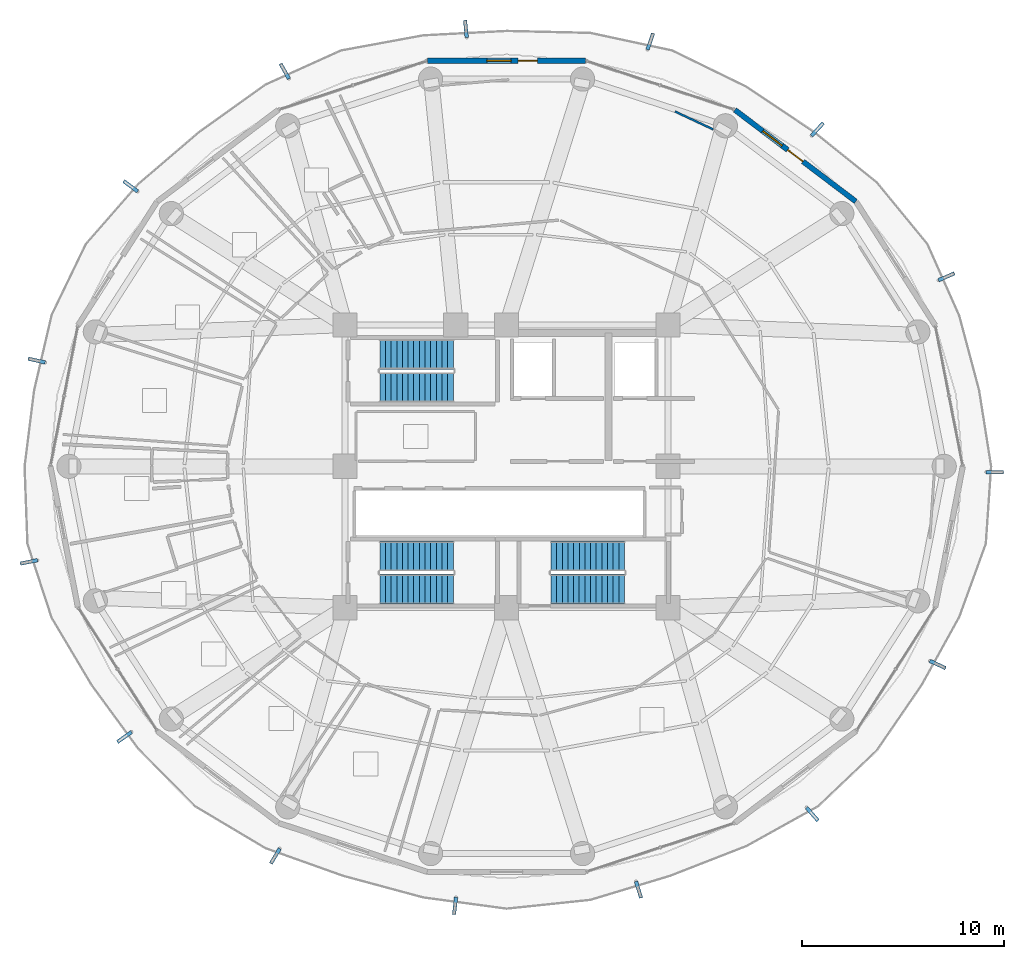
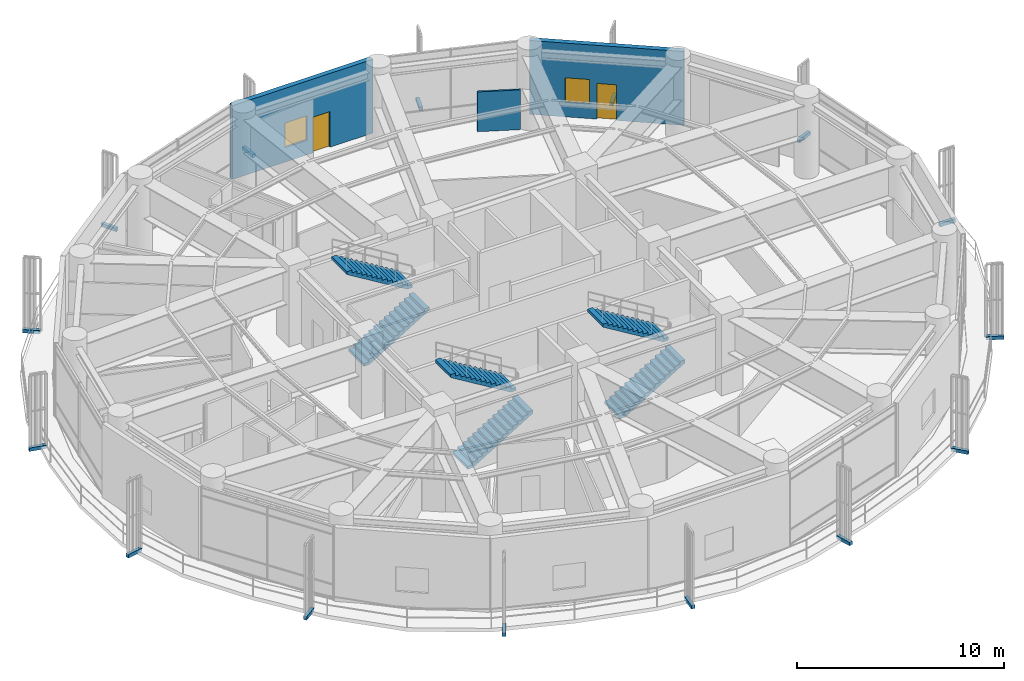
# One storey, part 24 of 28: 15 discrete accessories, 6 stair flights, 3 walls, 2 doors, 2 windows, 4 openings, 3 elements without a shape of their own.
"""IFC4 building model written with IfcOpenShell, lengths in metres."""

from ifc_helpers import new_model, si_unit, direction, frame, frame_2d, origin, origin_2d, place, context, subcontext, project, spatial, polyline, rectangle, outline, extrude, source, transform, mapped, material, layer, layer_set, type_object, element, fill, aggregate, save


model = new_model("IFC4")

# Units and contexts
model_context = context("Model", 3, precision=1e-05, world=origin(), true_north=direction((0.0, 1.0)))
body_context = subcontext(model_context, "Body", "Model", "MODEL_VIEW")
ifc_project = project(units=[si_unit("LENGTHUNIT", "METRE"), si_unit("AREAUNIT", "SQUARE_METRE"), si_unit("VOLUMEUNIT", "CUBIC_METRE"), si_unit("PLANEANGLEUNIT", "RADIAN"), si_unit("MASSUNIT", "GRAM", prefix="KILO")], contexts=[model_context])

# Site, building, storey
site_placement = place(None, origin())
site = spatial("IfcSite", under=ifc_project, at=site_placement, CompositionType="ELEMENT")
building_placement = place(site_placement, origin())
building = spatial("IfcBuilding", under=site, at=building_placement, Name="Kelanora Arch Commons", CompositionType="ELEMENT")
storey_placement = place(building_placement, frame((0.0, 0.0, 184.35009765625)))
storey = spatial("IfcBuildingStorey", under=building, at=storey_placement, Name="L47", CompositionType="ELEMENT", Elevation=184.35009765625)

# Wall, openings, door, window
ifc_material_1 = material(Name="Precast concrete C40/50 with terracotta rainscreen", Category="masonry")
ifc_layer_1 = layer(ifc_material_1, 0.260009765625)
ifc_layer_set_1 = layer_set([ifc_layer_1], Name="Precast concrete C40/50 with terracotta rainscreen")
wall_type_1 = type_object("IfcWallType", Name="W-EXT-TC", PredefinedType="SOLIDWALL", material=ifc_layer_set_1)
wall_1_placement = place(storey_placement, frame((91.300537109375, 71.1220703125, 0.0), z_axis=(0.0, 0.0, 1.0), x_axis=(-0.797163719609, 0.603763202042, 0.0)))
wall_1 = element("IfcWall", 1, at=wall_1_placement, inside=storey, type_object=wall_type_1, Name="Terracotta Exterior Wall L47-B02", PredefinedType="SOLIDWALL", context=body_context, shape_type="SweptSolid", body=[
    extrude(rectangle(XDim=7.51220703125, YDim=0.260009765625, at=frame_2d((3.756103515625, 0.0))), origin(), (0.0, 0.0, 1.0), 4.344970703125),
])
opening_1_placement = place(wall_1_placement, frame((3.281005859375, 0.0, 0.0)))
opening_1 = element("IfcOpeningElement", 2, at=opening_1_placement, cuts=wall_1, Name="Opening DB-01", PredefinedType="OPENING", context=body_context, shape_type="SweptSolid", body=[
    extrude(rectangle(XDim=0.949951171875, YDim=2.10009765625, at=frame_2d((0.47509765625, 1.050048828125))), frame((0.0, 0.14013671875, 0.0), z_axis=(0.0, -1.0, 0.0), x_axis=(1.0, 0.0, 0.0)), (0.0, 0.0, 1.0), 0.280029296875),
])
opening_2_placement = place(wall_1_placement, frame((4.5810546875, 0.0, 0.85009765625)))
opening_2 = element("IfcOpeningElement", 3, at=opening_2_placement, cuts=wall_1, Name="Opening WN-02", PredefinedType="OPENING", context=body_context, shape_type="SweptSolid", body=[
    extrude(rectangle(XDim=1.199951171875, YDim=1.449951171875, at=frame_2d((0.60009765625, 0.72509765625))), frame((0.0, 0.14013671875, 0.0), z_axis=(0.0, -1.0, 0.0), x_axis=(1.0, 0.0, 0.0)), (0.0, 0.0, 1.0), 0.280029296875),
])
ifc_material_2 = material(Name="Terracotta-aluminium thermally broken glazed balcony door", Category="masonry")
door_type = type_object("IfcDoorType", Name="D-BAL-10", OperationType="NOTDEFINED", PredefinedType="DOOR", material=ifc_material_2)
door_1_placement = place(opening_1_placement, frame((0.949951171875, 0.0, 0.0), z_axis=(0.0, 0.0, 1.0), x_axis=(-1.0, 0.0, 0.0)))
door_1 = element("IfcDoor", 4, at=door_1_placement, inside=storey, type_object=door_type, Name="Wave Balcony Door L47-B02", OperationType="SINGLE_SWING_RIGHT", OverallHeight=2.10009765625, OverallWidth=0.949951171875, PredefinedType="DOOR", context=body_context, shape_type="SweptSolid", body=[
    extrude(rectangle(XDim=0.949951171875, YDim=2.10009765625, at=frame_2d((0.47509765625, 1.050048828125))), frame((0.0, 0.02490234375, 0.0), z_axis=(0.0, -1.0, 0.0), x_axis=(1.0, 0.0, 0.0)), (0.0, 0.0, 1.0), 0.050048828125),
])
fill(opening_1, door_1)
ifc_material_3 = material(Name="Terracotta-anodised aluminium frame with operable awning sash", Category="masonry")
window_type = type_object("IfcWindowType", Name="WIN-CL-12", PartitioningType="SINGLE_PANEL", PredefinedType="WINDOW", material=ifc_material_3)
window_1_placement = place(opening_2_placement, origin())
window_1 = element("IfcWindow", 5, at=window_1_placement, inside=storey, type_object=window_type, Name="Co-Living Operable Window L47-B02", OverallHeight=1.449951171875, OverallWidth=1.199951171875, PartitioningType="SINGLE_PANEL", PredefinedType="WINDOW", context=body_context, shape_type="SweptSolid", body=[
    extrude(rectangle(XDim=1.199951171875, YDim=1.449951171875, at=frame_2d((0.60009765625, 0.72509765625))), frame((0.0, 0.030029296875, 0.0), z_axis=(0.0, -1.0, 0.0), x_axis=(1.0, 0.0, 0.0)), (0.0, 0.0, 1.0), 0.06005859375),
])
fill(opening_2, window_1)

wall_2_placement = place(storey_placement, frame((77.909423828125, 78.090087890625, 0.0), z_axis=(0.0, 0.0, 1.0), x_axis=(-1.0, 0.0, 0.0)))
wall_2 = element("IfcWall", 6, at=wall_2_placement, inside=storey, type_object=wall_type_1, Name="Terracotta Exterior Wall L47-B04", PredefinedType="SOLIDWALL", context=body_context, shape_type="SweptSolid", body=[
    extrude(rectangle(XDim=7.81884765625, YDim=0.260009765625, at=frame_2d((3.909423828125, 0.0))), origin(), (0.0, 0.0, 1.0), 4.344970703125),
])
opening_3_placement = place(wall_2_placement, frame((2.384033203125, 0.0, 0.0)))
opening_3 = element("IfcOpeningElement", 7, at=opening_3_placement, cuts=wall_2, Name="Opening DB-01", PredefinedType="OPENING", context=body_context, shape_type="SweptSolid", body=[
    extrude(rectangle(XDim=0.949951171875, YDim=2.10009765625, at=frame_2d((0.47509765625, 1.050048828125))), frame((0.0, 0.14013671875, 0.0), z_axis=(0.0, -1.0, 0.0), x_axis=(1.0, 0.0, 0.0)), (0.0, 0.0, 1.0), 0.280029296875),
])
opening_4_placement = place(wall_2_placement, frame((3.68408203125, 0.0, 0.85009765625)))
opening_4 = element("IfcOpeningElement", 8, at=opening_4_placement, cuts=wall_2, Name="Opening WN-02", PredefinedType="OPENING", context=body_context, shape_type="SweptSolid", body=[
    extrude(rectangle(XDim=1.199951171875, YDim=1.449951171875, at=frame_2d((0.60009765625, 0.72509765625))), frame((0.0, 0.14013671875, 0.0), z_axis=(0.0, -1.0, 0.0), x_axis=(1.0, 0.0, 0.0)), (0.0, 0.0, 1.0), 0.280029296875),
])
door_2_placement = place(opening_3_placement, frame((0.949951171875, 0.0, 0.0), z_axis=(0.0, 0.0, 1.0), x_axis=(-1.0, 0.0, 0.0)))
door_2 = element("IfcDoor", 9, at=door_2_placement, inside=storey, type_object=door_type, Name="Wave Balcony Door L47-B04", OperationType="SINGLE_SWING_RIGHT", OverallHeight=2.10009765625, OverallWidth=0.949951171875, PredefinedType="DOOR", context=body_context, shape_type="SweptSolid", body=[
    extrude(rectangle(XDim=0.949951171875, YDim=2.10009765625, at=frame_2d((0.47509765625, 1.050048828125))), frame((0.0, 0.02490234375, 0.0), z_axis=(0.0, -1.0, 0.0), x_axis=(1.0, 0.0, 0.0)), (0.0, 0.0, 1.0), 0.050048828125),
])
fill(opening_3, door_2)
window_2_placement = place(opening_4_placement, origin())
window_2 = element("IfcWindow", 10, at=window_2_placement, inside=storey, type_object=window_type, Name="Co-Living Operable Window L47-B04", OverallHeight=1.449951171875, OverallWidth=1.199951171875, PartitioningType="SINGLE_PANEL", PredefinedType="WINDOW", context=body_context, shape_type="SweptSolid", body=[
    extrude(rectangle(XDim=1.199951171875, YDim=1.449951171875, at=frame_2d((0.60009765625, 0.72509765625))), frame((0.0, 0.030029296875, 0.0), z_axis=(0.0, -1.0, 0.0), x_axis=(1.0, 0.0, 0.0)), (0.0, 0.0, 1.0), 0.06005859375),
])
fill(opening_4, window_2)

# Wall
ifc_material_4 = material(Name="Lightweight fire-rated acoustic stud partition")
ifc_layer_2 = layer(ifc_material_4, 0.10009765625)
ifc_layer_set_2 = layer_set([ifc_layer_2], Name="Lightweight fire-rated acoustic stud partition")
wall_type_2 = type_object("IfcWallType", Name="W-PART-100", PredefinedType="PARTITIONING", material=ifc_layer_set_2)
wall_3_placement = place(storey_placement, frame((82.34375, 75.57861328125, 0.0), z_axis=(0.0, 0.0, 1.0), x_axis=(0.905482711563, -0.424383151246, 0.0)))
element("IfcWall", 11, at=wall_3_placement, inside=storey, type_object=wall_type_2, Name="North-East Quiet Study Commons L47 Enclosure Partition 7", PredefinedType="PARTITIONING", context=body_context, shape_type="SweptSolid", body=[
    extrude(rectangle(XDim=2.096435546875, YDim=0.10009765625, at=frame_2d((1.04833984375, 0.0))), origin(), (0.0, 0.0, 1.0), 2.344970703125),
])

# Stair, stair flights
ifc_material_5 = material(Name="Concrete C40/50", Category="concrete")
stair_type = type_object("IfcStairType", Name="STR-DL-476", PredefinedType="HALF_TURN_STAIR", material=ifc_material_5)
stair_1_placement = place(storey_placement, origin())
stair_1 = element("IfcStair", 12, at=stair_1_placement, inside=storey, type_object=stair_type, Name="L47 ST-T1", PredefinedType="HALF_TURN_STAIR")
stair_flight_type = type_object("IfcStairFlightType", Name="FLT-DL-476", PredefinedType="STRAIGHT", material=ifc_material_5)
stair_flight_1_placement = place(storey_placement, frame((67.719970703125, 61.919921875, 0.0), z_axis=(0.0, 0.0, 1.0), x_axis=(1.0, 0.0, 0.0)))
stair_flight_1 = element("IfcStairFlight", 13, at=stair_flight_1_placement, type_object=stair_flight_type, Name="ST-T1 flight 1", NumberOfRisers=14, NumberOfTreads=13, PredefinedType="STRAIGHT", RiserHeight=0.17, TreadLength=0.28, context=body_context, shape_type="SweptSolid", body=[
    extrude(outline(polyline([(0.0, 0.0), (0.0, 0.169921875), (0.280029296875, 0.169921875), (0.280029296875, 0.340087890625), (0.56005859375, 0.340087890625), (0.56005859375, 0.510009765625), (0.840087890625, 0.510009765625), (0.840087890625, 0.679931640625), (1.1201171875, 0.679931640625), (1.1201171875, 0.85009765625), (1.39990234375, 0.85009765625), (1.39990234375, 1.02001953125), (1.679931640625, 1.02001953125), (1.679931640625, 1.18994140625), (1.9599609375, 1.18994140625), (1.9599609375, 1.360107421875), (2.239990234375, 1.360107421875), (2.239990234375, 1.530029296875), (2.52001953125, 1.530029296875), (2.52001953125, 1.699951171875), (2.800048828125, 1.699951171875), (2.800048828125, 1.8701171875), (3.080078125, 1.8701171875), (3.080078125, 2.0400390625), (3.360107421875, 2.0400390625), (3.360107421875, 2.2099609375), (3.639892578125, 2.2099609375), (3.639892578125, 2.3798828125), (3.639892578125, 2.03466796875), (0.288818359375, 0.0), (0.0, 0.0)])), frame((0.0, 0.739990234375, 0.0), z_axis=(0.0, -1.0, 0.0), x_axis=(1.0, 0.0, 0.0)), (0.0, 0.0, 1.0), 1.47998046875),
])
stair_flight_2_placement = place(storey_placement, frame((71.360107421875, 63.550048828125, 2.3798828125), z_axis=(0.0, 0.0, 1.0), x_axis=(-1.0, 0.0, 0.0)))
stair_flight_2 = element("IfcStairFlight", 14, at=stair_flight_2_placement, type_object=stair_flight_type, Name="ST-T1 flight 2", NumberOfRisers=14, NumberOfTreads=13, PredefinedType="STRAIGHT", RiserHeight=0.17, TreadLength=0.28, context=body_context, shape_type="SweptSolid", body=[
    extrude(outline(polyline([(0.0, 0.0), (0.0, 0.169921875), (0.280029296875, 0.169921875), (0.280029296875, 0.340087890625), (0.56005859375, 0.340087890625), (0.56005859375, 0.510009765625), (0.840087890625, 0.510009765625), (0.840087890625, 0.679931640625), (1.1201171875, 0.679931640625), (1.1201171875, 0.85009765625), (1.39990234375, 0.85009765625), (1.39990234375, 1.02001953125), (1.679931640625, 1.02001953125), (1.679931640625, 1.18994140625), (1.9599609375, 1.18994140625), (1.9599609375, 1.360107421875), (2.239990234375, 1.360107421875), (2.239990234375, 1.530029296875), (2.52001953125, 1.530029296875), (2.52001953125, 1.699951171875), (2.800048828125, 1.699951171875), (2.800048828125, 1.8701171875), (3.080078125, 1.8701171875), (3.080078125, 2.0400390625), (3.360107421875, 2.0400390625), (3.360107421875, 2.2099609375), (3.639892578125, 2.2099609375), (3.639892578125, 2.3798828125), (3.639892578125, 2.03466796875), (0.288818359375, 0.0), (0.0, 0.0)])), frame((0.0, 0.739990234375, 0.0), z_axis=(0.0, -1.0, 0.0), x_axis=(1.0, 0.0, 0.0)), (0.0, 0.0, 1.0), 1.47998046875),
])
aggregate(stair_1, [stair_flight_1, stair_flight_2])

stair_2_placement = place(storey_placement, origin())
stair_2 = element("IfcStair", 15, at=stair_2_placement, inside=storey, type_object=stair_type, Name="L47 ST-T2", PredefinedType="HALF_TURN_STAIR")
stair_flight_3_placement = place(storey_placement, frame((76.199951171875, 51.919921875, 0.0), z_axis=(0.0, 0.0, 1.0), x_axis=(1.0, 0.0, 0.0)))
stair_flight_3 = element("IfcStairFlight", 16, at=stair_flight_3_placement, type_object=stair_flight_type, Name="ST-T2 flight 1", NumberOfRisers=14, NumberOfTreads=13, PredefinedType="STRAIGHT", RiserHeight=0.17, TreadLength=0.28, context=body_context, shape_type="SweptSolid", body=[
    extrude(outline(polyline([(0.0, 0.0), (0.0, 0.169921875), (0.280029296875, 0.169921875), (0.280029296875, 0.340087890625), (0.56005859375, 0.340087890625), (0.56005859375, 0.510009765625), (0.840087890625, 0.510009765625), (0.840087890625, 0.679931640625), (1.1201171875, 0.679931640625), (1.1201171875, 0.85009765625), (1.39990234375, 0.85009765625), (1.39990234375, 1.02001953125), (1.679931640625, 1.02001953125), (1.679931640625, 1.18994140625), (1.9599609375, 1.18994140625), (1.9599609375, 1.360107421875), (2.239990234375, 1.360107421875), (2.239990234375, 1.530029296875), (2.52001953125, 1.530029296875), (2.52001953125, 1.699951171875), (2.800048828125, 1.699951171875), (2.800048828125, 1.8701171875), (3.080078125, 1.8701171875), (3.080078125, 2.0400390625), (3.360107421875, 2.0400390625), (3.360107421875, 2.2099609375), (3.639892578125, 2.2099609375), (3.639892578125, 2.3798828125), (3.639892578125, 2.03466796875), (0.288818359375, 0.0), (0.0, 0.0)])), frame((0.0, 0.739990234375, 0.0), z_axis=(0.0, -1.0, 0.0), x_axis=(1.0, 0.0, 0.0)), (0.0, 0.0, 1.0), 1.47998046875),
])
stair_flight_4_placement = place(storey_placement, frame((79.840087890625, 53.550048828125, 2.3798828125), z_axis=(0.0, 0.0, 1.0), x_axis=(-1.0, 0.0, 0.0)))
stair_flight_4 = element("IfcStairFlight", 17, at=stair_flight_4_placement, type_object=stair_flight_type, Name="ST-T2 flight 2", NumberOfRisers=14, NumberOfTreads=13, PredefinedType="STRAIGHT", RiserHeight=0.17, TreadLength=0.28, context=body_context, shape_type="SweptSolid", body=[
    extrude(outline(polyline([(0.0, 0.0), (0.0, 0.169921875), (0.280029296875, 0.169921875), (0.280029296875, 0.340087890625), (0.56005859375, 0.340087890625), (0.56005859375, 0.510009765625), (0.840087890625, 0.510009765625), (0.840087890625, 0.679931640625), (1.1201171875, 0.679931640625), (1.1201171875, 0.85009765625), (1.39990234375, 0.85009765625), (1.39990234375, 1.02001953125), (1.679931640625, 1.02001953125), (1.679931640625, 1.18994140625), (1.9599609375, 1.18994140625), (1.9599609375, 1.360107421875), (2.239990234375, 1.360107421875), (2.239990234375, 1.530029296875), (2.52001953125, 1.530029296875), (2.52001953125, 1.699951171875), (2.800048828125, 1.699951171875), (2.800048828125, 1.8701171875), (3.080078125, 1.8701171875), (3.080078125, 2.0400390625), (3.360107421875, 2.0400390625), (3.360107421875, 2.2099609375), (3.639892578125, 2.2099609375), (3.639892578125, 2.3798828125), (3.639892578125, 2.03466796875), (0.288818359375, 0.0), (0.0, 0.0)])), frame((0.0, 0.739990234375, 0.0), z_axis=(0.0, -1.0, 0.0), x_axis=(1.0, 0.0, 0.0)), (0.0, 0.0, 1.0), 1.47998046875),
])
aggregate(stair_2, [stair_flight_3, stair_flight_4])

stair_3_placement = place(storey_placement, origin())
stair_3 = element("IfcStair", 18, at=stair_3_placement, inside=storey, type_object=stair_type, Name="L47 ST-T3", PredefinedType="HALF_TURN_STAIR")
stair_flight_5_placement = place(storey_placement, frame((67.719970703125, 51.919921875, 0.0), z_axis=(0.0, 0.0, 1.0), x_axis=(1.0, 0.0, 0.0)))
stair_flight_5 = element("IfcStairFlight", 19, at=stair_flight_5_placement, type_object=stair_flight_type, Name="ST-T3 flight 1", NumberOfRisers=14, NumberOfTreads=13, PredefinedType="STRAIGHT", RiserHeight=0.17, TreadLength=0.28, context=body_context, shape_type="SweptSolid", body=[
    extrude(outline(polyline([(0.0, 0.0), (0.0, 0.169921875), (0.280029296875, 0.169921875), (0.280029296875, 0.340087890625), (0.56005859375, 0.340087890625), (0.56005859375, 0.510009765625), (0.840087890625, 0.510009765625), (0.840087890625, 0.679931640625), (1.1201171875, 0.679931640625), (1.1201171875, 0.85009765625), (1.39990234375, 0.85009765625), (1.39990234375, 1.02001953125), (1.679931640625, 1.02001953125), (1.679931640625, 1.18994140625), (1.9599609375, 1.18994140625), (1.9599609375, 1.360107421875), (2.239990234375, 1.360107421875), (2.239990234375, 1.530029296875), (2.52001953125, 1.530029296875), (2.52001953125, 1.699951171875), (2.800048828125, 1.699951171875), (2.800048828125, 1.8701171875), (3.080078125, 1.8701171875), (3.080078125, 2.0400390625), (3.360107421875, 2.0400390625), (3.360107421875, 2.2099609375), (3.639892578125, 2.2099609375), (3.639892578125, 2.3798828125), (3.639892578125, 2.03466796875), (0.288818359375, 0.0), (0.0, 0.0)])), frame((0.0, 0.739990234375, 0.0), z_axis=(0.0, -1.0, 0.0), x_axis=(1.0, 0.0, 0.0)), (0.0, 0.0, 1.0), 1.47998046875),
])
stair_flight_6_placement = place(storey_placement, frame((71.360107421875, 53.550048828125, 2.3798828125), z_axis=(0.0, 0.0, 1.0), x_axis=(-1.0, 0.0, 0.0)))
stair_flight_6 = element("IfcStairFlight", 20, at=stair_flight_6_placement, type_object=stair_flight_type, Name="ST-T3 flight 2", NumberOfRisers=14, NumberOfTreads=13, PredefinedType="STRAIGHT", RiserHeight=0.17, TreadLength=0.28, context=body_context, shape_type="SweptSolid", body=[
    extrude(outline(polyline([(0.0, 0.0), (0.0, 0.169921875), (0.280029296875, 0.169921875), (0.280029296875, 0.340087890625), (0.56005859375, 0.340087890625), (0.56005859375, 0.510009765625), (0.840087890625, 0.510009765625), (0.840087890625, 0.679931640625), (1.1201171875, 0.679931640625), (1.1201171875, 0.85009765625), (1.39990234375, 0.85009765625), (1.39990234375, 1.02001953125), (1.679931640625, 1.02001953125), (1.679931640625, 1.18994140625), (1.9599609375, 1.18994140625), (1.9599609375, 1.360107421875), (2.239990234375, 1.360107421875), (2.239990234375, 1.530029296875), (2.52001953125, 1.530029296875), (2.52001953125, 1.699951171875), (2.800048828125, 1.699951171875), (2.800048828125, 1.8701171875), (3.080078125, 1.8701171875), (3.080078125, 2.0400390625), (3.360107421875, 2.0400390625), (3.360107421875, 2.2099609375), (3.639892578125, 2.2099609375), (3.639892578125, 2.3798828125), (3.639892578125, 2.03466796875), (0.288818359375, 0.0), (0.0, 0.0)])), frame((0.0, 0.739990234375, 0.0), z_axis=(0.0, -1.0, 0.0), x_axis=(1.0, 0.0, 0.0)), (0.0, 0.0, 1.0), 1.47998046875),
])
aggregate(stair_3, [stair_flight_5, stair_flight_6])

# Discrete accessories
ifc_material_6 = material(Name="Stainless steel 316 marine fin bracket", Category="steel")
discrete_accessory_type = type_object("IfcDiscreteAccessoryType", Name="ACC-FIN-BRK", PredefinedType="BRACKET", material=ifc_material_6)
shared_shape = source(origin(), body_context, "Body", "SweptSolid", [
    extrude(rectangle(XDim=0.860107421875, YDim=0.179931640625, at=origin_2d()), origin(), (0.0, 0.0, 1.0), 0.199951171875),
])
for number, where, z_axis, x_axis, name in (
    (21, (95.357421875, 48.1826171875, -0.16015625), (0.0, 0.0, 1.0), (0.908581095252, -0.417708502848, 0.0), "Sweeping Fin Cantilever Spine Bracket L47-00"),
    (22, (98.19189453125, 57.7099609375, -0.16015625), (0.0, 0.0, 1.0), (0.9999274867, -0.01204248075, 0.0), "Sweeping Fin Cantilever Spine Bracket L47-01"),
    (23, (95.792724609375, 67.391357421875, -0.16015625), (0.0, 0.0, 1.0), (0.918377331641, 0.395705795671, 0.0), "Sweeping Fin Cantilever Spine Bracket L47-02"),
    (24, (89.39990234375, 74.6962890625, -0.16015625), (0.0, 0.0, 1.0), (0.678031392746, 0.735032945147, 0.0), "Sweeping Fin Cantilever Spine Bracket L47-03"),
    (25, (81.119384765625, 79.049072265625, -0.16015625), (0.0, 0.0, 1.0), (0.320447666323, 0.947266220842, 0.0), "Sweeping Fin Cantilever Spine Bracket L47-04"),
    (26, (71.984375, 79.67431640625, -0.16015625), (0.0, 0.0, 1.0), (-0.092544372783, 0.99570856131, 0.0), "Sweeping Fin Cantilever Spine Bracket L47-05"),
    (27, (63.010498046875, 77.572509765625, -0.16015625), (0.0, 0.0, 1.0), (-0.489534649095, 0.871983845799, 0.0), "Sweeping Fin Cantilever Spine Bracket L47-06"),
    (28, (55.377685546875, 71.8740234375, -0.16015625), (0.0, 0.0, 1.0), (-0.801879937297, 0.597485201625, 0.0), "Sweeping Fin Cantilever Spine Bracket L47-07"),
    (29, (50.7216796875, 63.240478515625, -0.16015625), (0.0, 0.0, 1.0), (-0.975572899489, 0.219675938108, 0.0), "Sweeping Fin Cantilever Spine Bracket L47-08"),
    (30, (50.337890625, 53.26611328125, -0.16015625), (0.0, 0.0, 1.0), (-0.980580444557, -0.196117290802, 0.0), "Sweeping Fin Cantilever Spine Bracket L47-09"),
    (31, (55.070556640625, 44.5908203125, -0.16015625), (0.0, 0.0, 1.0), (-0.816036722469, -0.578000058462, 0.0), "Sweeping Fin Cantilever Spine Bracket L47-10"),
    (32, (62.5439453125, 38.695556640625, -0.16015625), (0.0, 0.0, 1.0), (-0.510392837604, -0.859941365049, 0.0), "Sweeping Fin Cantilever Spine Bracket L47-11"),
    (33, (71.44677734375, 36.2236328125, -0.16015625), (0.0, 0.0, 1.0), (-0.116497394345, -0.993190997297, 0.0), "Sweeping Fin Cantilever Spine Bracket L47-12"),
    (34, (80.537109375, 37.028564453125, -0.16015625), (0.0, 0.0, 1.0), (0.297541506743, -0.954708883255, 0.0), "Sweeping Fin Cantilever Spine Bracket L47-13"),
    (35, (89.1435546875, 40.770263671875, -0.16015625), (0.0, 0.0, 1.0), (0.660132778235, -0.75114893004, 0.0), "Sweeping Fin Cantilever Spine Bracket L47-14"),
):
    element("IfcDiscreteAccessory", number, at=place(storey_placement, frame(where, z_axis=z_axis, x_axis=x_axis)), inside=storey, type_object=discrete_accessory_type, Name=name, PredefinedType="BRACKET", context=body_context, shape_type="MappedRepresentation", body=[
        mapped(shared_shape, transform((0.0, 0.0, 0.0), scale=1.0)),
    ])

save(model, "model.ifc")
